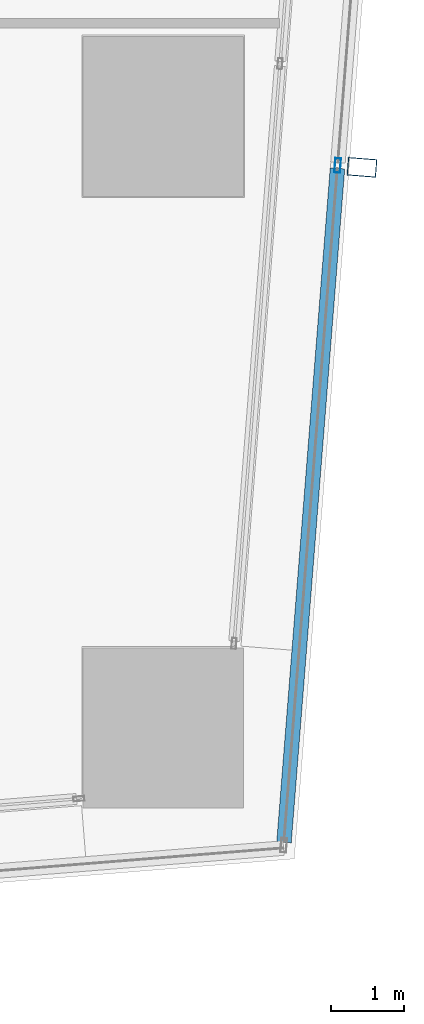
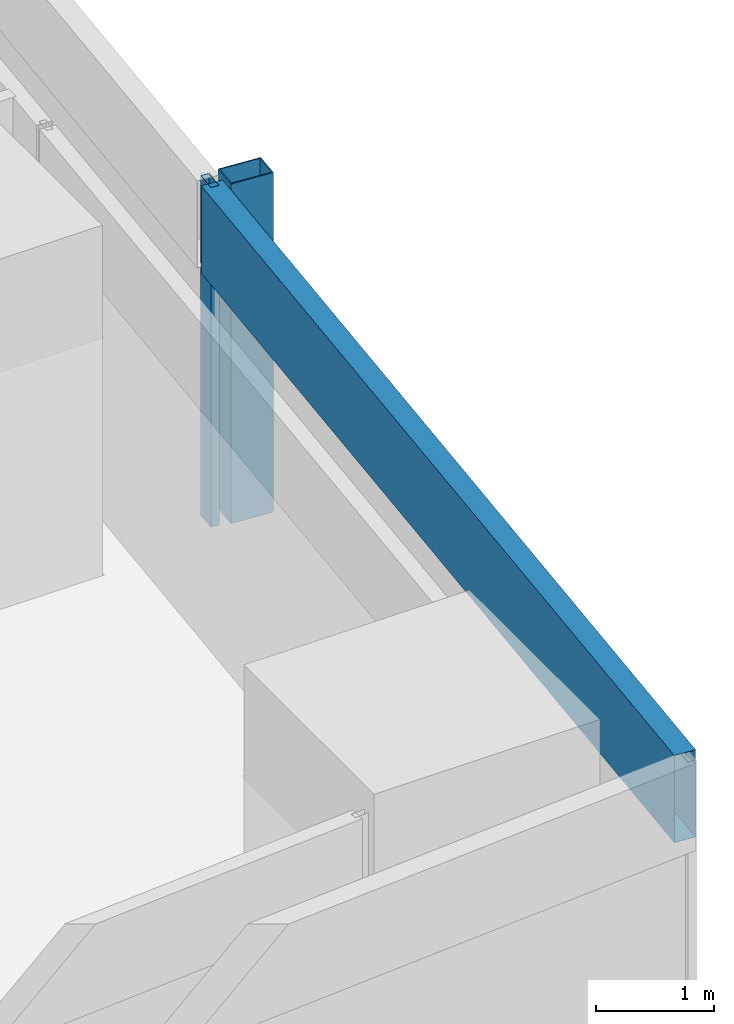
# One storey, part 25 of 45: 3 members, 1 element without a shape of its own.
"""IFC4 building model written with IfcOpenShell, lengths in metres."""

from ifc_helpers import new_model, si_unit, direction, frame, origin, origin_2d, place, context, subcontext, project, spatial, hollow_rectangle, extrude, material, material_profile, profile_set, type_object, element, aggregate, save


model = new_model("IFC4")

# Units and contexts
model_context = context("Model", 3, precision=1e-05, world=origin(), true_north=direction((0.0, 1.0)))
body_context = subcontext(model_context, "Body", "Model", "MODEL_VIEW")
ifc_project = project(units=[si_unit("LENGTHUNIT", "METRE"), si_unit("AREAUNIT", "SQUARE_METRE"), si_unit("VOLUMEUNIT", "CUBIC_METRE"), si_unit("PLANEANGLEUNIT", "RADIAN"), si_unit("MASSUNIT", "GRAM", prefix="KILO")], contexts=[model_context])

# Site, building, storey
site_placement = place(None, origin())
site = spatial("IfcSite", under=ifc_project, at=site_placement, CompositionType="ELEMENT")
building_placement = place(site_placement, origin())
building = spatial("IfcBuilding", under=site, at=building_placement, Name="Rekha Terrace Tower", CompositionType="ELEMENT")
storey_placement = place(building_placement, frame((0.0, 0.0, 36.64990234375)))
storey = spatial("IfcBuildingStorey", under=building, at=storey_placement, Name="L08", CompositionType="ELEMENT", Elevation=36.64990234375)

# Curtain wall, members
ifc_material_1 = material(Name="Aluminium framing", Category="aluminium")
curtain_wall_type = type_object("IfcCurtainWallType", Name="CW2 double skin outer glazing", PredefinedType="USERDEFINED", material=ifc_material_1)
curtain_wall_placement = place(storey_placement, origin())
curtain_wall = element("IfcCurtainWall", 1, at=curtain_wall_placement, inside=storey, type_object=curtain_wall_type, Name="CW2 double skin outer glazing", ObjectType="DOUBLE SKIN OUTER GLAZING", PredefinedType="USERDEFINED")
ifc_material_2 = material(Name="Steel S355 with fluorocarbon finish", Category="steel")
ifc_material_profile_1 = material_profile(ifc_material_2, hollow_rectangle(XDim=0.25, YDim=0.39990234375, WallThickness=0.012451171875, at=origin_2d()), Name="RHS400x250x12.5")
ifc_profile_set_1 = profile_set([ifc_material_profile_1], Name="Steel S355 with fluorocarbon finish")
member_type_1 = type_object("IfcMemberType", Name="BL1 facade blade RHS 400 x 250", PredefinedType="USERDEFINED", material=ifc_profile_set_1)
member_1_placement = place(storey_placement, frame((69.929443359375, 16.099365234375, 0.0), z_axis=(0.0, 0.0, 1.0), x_axis=(0.079116779322, 0.996865354614, 0.0)))
member_1 = element("IfcMember", 2, at=member_1_placement, type_object=member_type_1, Name="Facade blade", ObjectType="FACADE BLADE", PredefinedType="USERDEFINED", context=body_context, shape_type="SweptSolid", body=[
    extrude(hollow_rectangle(XDim=0.25, YDim=0.39990234375, WallThickness=0.012451171875, at=origin_2d()), origin(), (0.0, 0.0, 1.0), 3.5),
])
ifc_material_3 = material(Name="Aluminium mullion section", Category="aluminium")
ifc_material_profile_2 = material_profile(ifc_material_3, hollow_rectangle(XDim=0.080078125, YDim=0.199951171875, WallThickness=0.00390625, at=origin_2d()), Name="AL RHS 80x200")
ifc_profile_set_2 = profile_set([ifc_material_profile_2], Name="Aluminium mullion section")
member_type_2 = type_object("IfcMemberType", Name="CW2 mullion RHS 80 x 200", PredefinedType="MULLION", material=ifc_profile_set_2)
member_2_placement = place(storey_placement, frame((69.595458984375, 16.125732421875, 0.0), z_axis=(0.0, 0.0, 1.0), x_axis=(-0.996865392575, 0.079116301017, 0.0)))
member_2 = element("IfcMember", 3, at=member_2_placement, type_object=member_type_2, Name="CW2 mullion 2", PredefinedType="MULLION", context=body_context, shape_type="SweptSolid", body=[
    extrude(hollow_rectangle(XDim=0.080078125, YDim=0.199951171875, WallThickness=0.00390625, at=origin_2d()), origin(), (0.0, 0.0, 1.0), 3.5),
])
ifc_material_4 = material(Name="Insulated aluminium spandrel box", Category="aluminium")
ifc_material_profile_3 = material_profile(ifc_material_4, hollow_rectangle(XDim=0.199951171875, YDim=0.89990234375, WallThickness=0.0029296875, at=origin_2d()), Name="AL SPANDREL BOX 200x900")
ifc_profile_set_3 = profile_set([ifc_material_profile_3], Name="Insulated aluminium spandrel box")
member_type_3 = type_object("IfcMemberType", Name="CW2 spandrel transom 200 x 900", PredefinedType="USERDEFINED", material=ifc_profile_set_3)
member_3_placement = place(storey_placement, frame((68.857666015625, 6.828369140625, 3.050048828125), z_axis=(0.079104689968, 0.996866314019, 0.0), x_axis=(-0.996866314019, 0.079104689968, 0.0)))
member_3 = element("IfcMember", 4, at=member_3_placement, type_object=member_type_3, Name="CW2 spandrel transom 1", ObjectType="TRANSOM", PredefinedType="USERDEFINED", context=body_context, shape_type="SweptSolid", body=[
    extrude(hollow_rectangle(XDim=0.199951171875, YDim=0.89990234375, WallThickness=0.0029296875, at=origin_2d()), origin(), (0.0, 0.0, 1.0), 9.28662109375),
])
aggregate(curtain_wall, [member_2, member_3, member_1])

save(model, "model.ifc")
